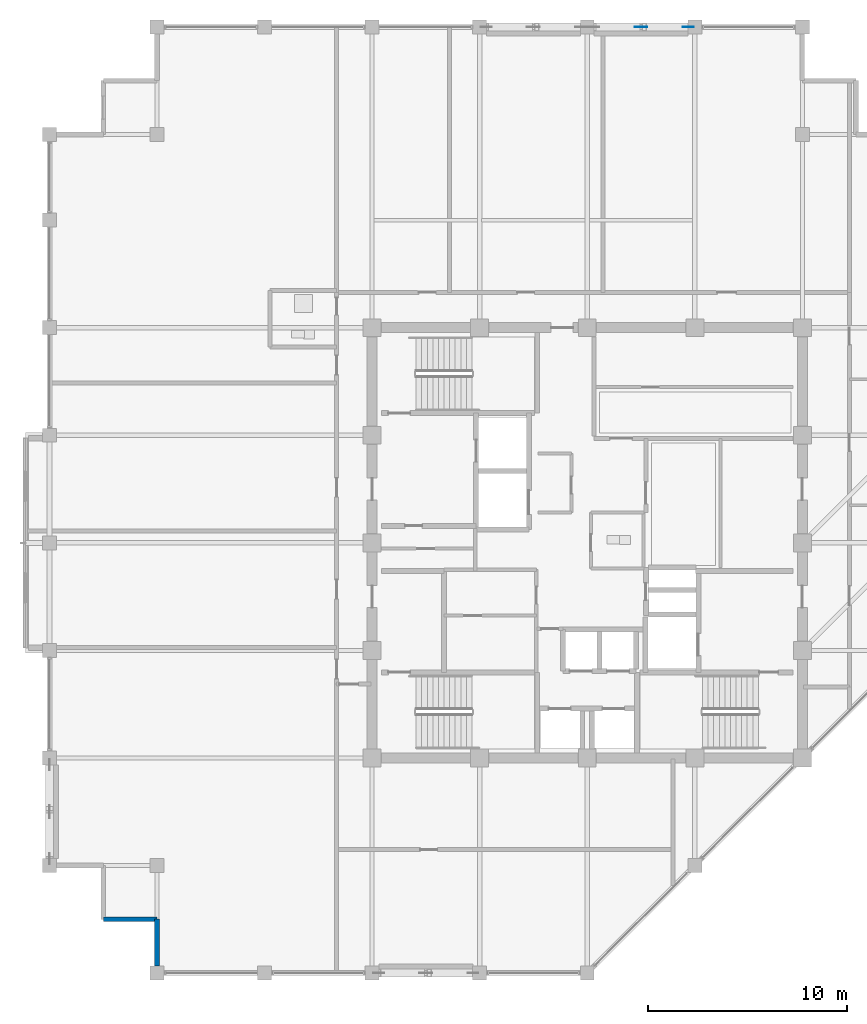
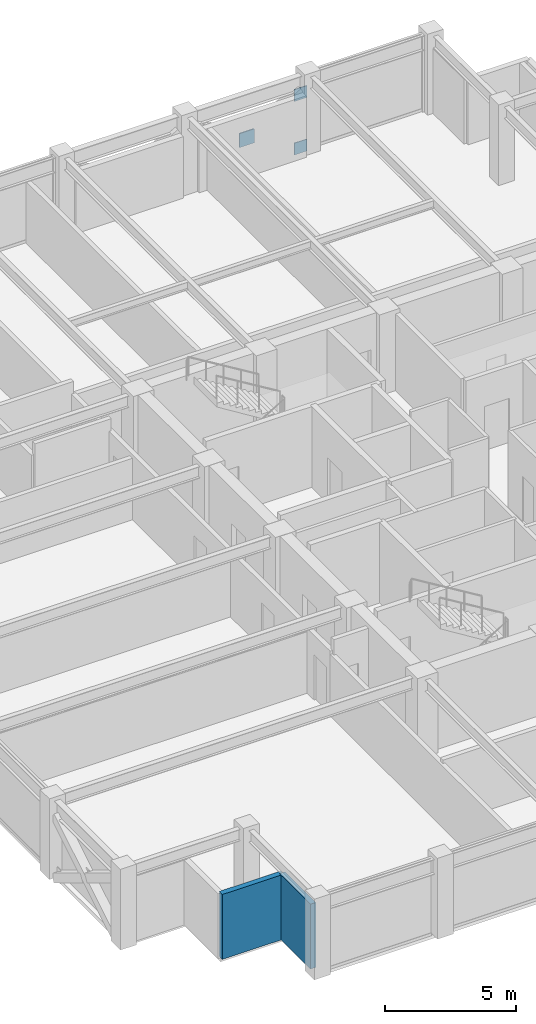
# One storey, part 22 of 29: 3 plates, 2 walls.
"""IFC4 building model written with IfcOpenShell, lengths in metres."""

from ifc_helpers import new_model, si_unit, direction, frame, frame_2d, origin, origin_2d, place, context, subcontext, project, spatial, rectangle, extrude, material, layer, layer_set, type_object, element, save


model = new_model("IFC4")

# Units and contexts
model_context = context("Model", 3, precision=1e-05, world=origin(), true_north=direction((0.0, 1.0)))
body_context = subcontext(model_context, "Body", "Model", "MODEL_VIEW")
ifc_project = project(units=[si_unit("LENGTHUNIT", "METRE"), si_unit("AREAUNIT", "SQUARE_METRE"), si_unit("VOLUMEUNIT", "CUBIC_METRE"), si_unit("PLANEANGLEUNIT", "RADIAN"), si_unit("MASSUNIT", "GRAM", prefix="KILO")], contexts=[model_context])

# Site, building, storey
site_placement = place(None, origin())
site = spatial("IfcSite", under=ifc_project, at=site_placement, CompositionType="ELEMENT")
building_placement = place(site_placement, origin())
building = spatial("IfcBuilding", under=site, at=building_placement, Name="Surkhivell Harbour Commons", CompositionType="ELEMENT")
storey_placement = place(building_placement, frame((0.0, 0.0, 273.75)))
storey = spatial("IfcBuildingStorey", under=building, at=storey_placement, Name="L71", CompositionType="ELEMENT", Elevation=273.75)

# Plates
ifc_material_1 = material(Name="Steel S460", Category="steel")
ifc_layer_1 = layer(ifc_material_1, 0.035888671875)
ifc_layer_set_1 = layer_set([ifc_layer_1], Name="Steel S460")
plate_type_1 = type_object("IfcPlateType", Name="PLT-GUS-550", PredefinedType="USERDEFINED", material=ifc_layer_set_1)
for number, where, z_axis, x_axis, name in (
    (1, (5.06494140625, 25.89990234375, -0.07470703125), (0.0, 0.0, 1.0), (1.0, 0.0, 0.0), "L71 Perimeter Mega-Brace MB- Corner Gusset N2-2"),
    (2, (5.06494140625, 25.89990234375, 2.41357421875), (0.0, 0.0, 1.0), (1.0, 0.0, 0.0), "L71 Perimeter Mega-Brace MB- Corner Gusset N2-4"),
):
    element("IfcPlate", number, at=place(storey_placement, frame(where, z_axis=z_axis, x_axis=x_axis)), inside=storey, type_object=plate_type_1, Name=name, ObjectType="GUSSET_PLATE", PredefinedType="USERDEFINED", context=body_context, shape_type="SweptSolid", body=[
        extrude(rectangle(XDim=0.550048828125, YDim=0.035888671875, at=origin_2d()), origin(), (0.0, 0.0, 1.0), 0.550048828125),
    ])
ifc_layer_2 = layer(ifc_material_1, 0.044921875)
ifc_layer_set_2 = layer_set([ifc_layer_2], Name="Steel S460")
plate_type_2 = type_object("IfcPlateType", Name="PLT-GUS-650", PredefinedType="USERDEFINED", material=ifc_layer_set_2)
plate_placement = place(storey_placement, frame((2.699951171875, 25.89990234375, 1.11962890625), z_axis=(0.0, 0.0, 1.0), x_axis=(1.0, 0.0, 0.0)))
element("IfcPlate", 3, at=plate_placement, inside=storey, type_object=plate_type_2, Name="L71 Perimeter Mega-Brace MB- Central Crossing Gusset N2", ObjectType="GUSSET_PLATE", PredefinedType="USERDEFINED", context=body_context, shape_type="SweptSolid", body=[
    extrude(rectangle(XDim=0.64990234375, YDim=0.044921875, at=origin_2d()), origin(), (0.0, 0.0, 1.0), 0.64990234375),
])

# Walls
ifc_material_2 = material(Name="Bronze-ochre cassette precast concrete C45/55", Category="concrete")
ifc_layer_3 = layer(ifc_material_2, 0.239990234375)
ifc_layer_set_3 = layer_set([ifc_layer_3], Name="Bronze-ochre cassette precast concrete C45/55")
wall_type = type_object("IfcWallType", Name="WAL-EXT-OCH240", PredefinedType="STANDARD", material=ifc_layer_set_3)
wall_1_placement = place(storey_placement, frame((-24.300048828125, -18.89990234375, 0.0), z_axis=(0.0, 0.0, 1.0), x_axis=(1.0, 0.0, 0.0)))
element("IfcWall", 4, at=wall_1_placement, inside=storey, type_object=wall_type, Name="L71 Serrated Corner Facade Wall 15", PredefinedType="STANDARD", context=body_context, shape_type="SweptSolid", body=[
    extrude(rectangle(XDim=2.699951171875, YDim=0.239990234375, at=frame_2d((1.35009765625, 0.0))), origin(), (0.0, 0.0, 1.0), 3.012939453125),
])
wall_2_placement = place(storey_placement, frame((-21.60009765625, -18.89990234375, 0.0), z_axis=(0.0, 0.0, 1.0), x_axis=(0.0, -1.0, 0.0)))
element("IfcWall", 5, at=wall_2_placement, inside=storey, type_object=wall_type, Name="L71 Serrated Corner Facade Wall 16", PredefinedType="STANDARD", context=body_context, shape_type="SweptSolid", body=[
    extrude(rectangle(XDim=2.35205078125, YDim=0.239990234375, at=frame_2d((1.176025390625, 0.0))), origin(), (0.0, 0.0, 1.0), 3.012939453125),
])

save(model, "model.ifc")
